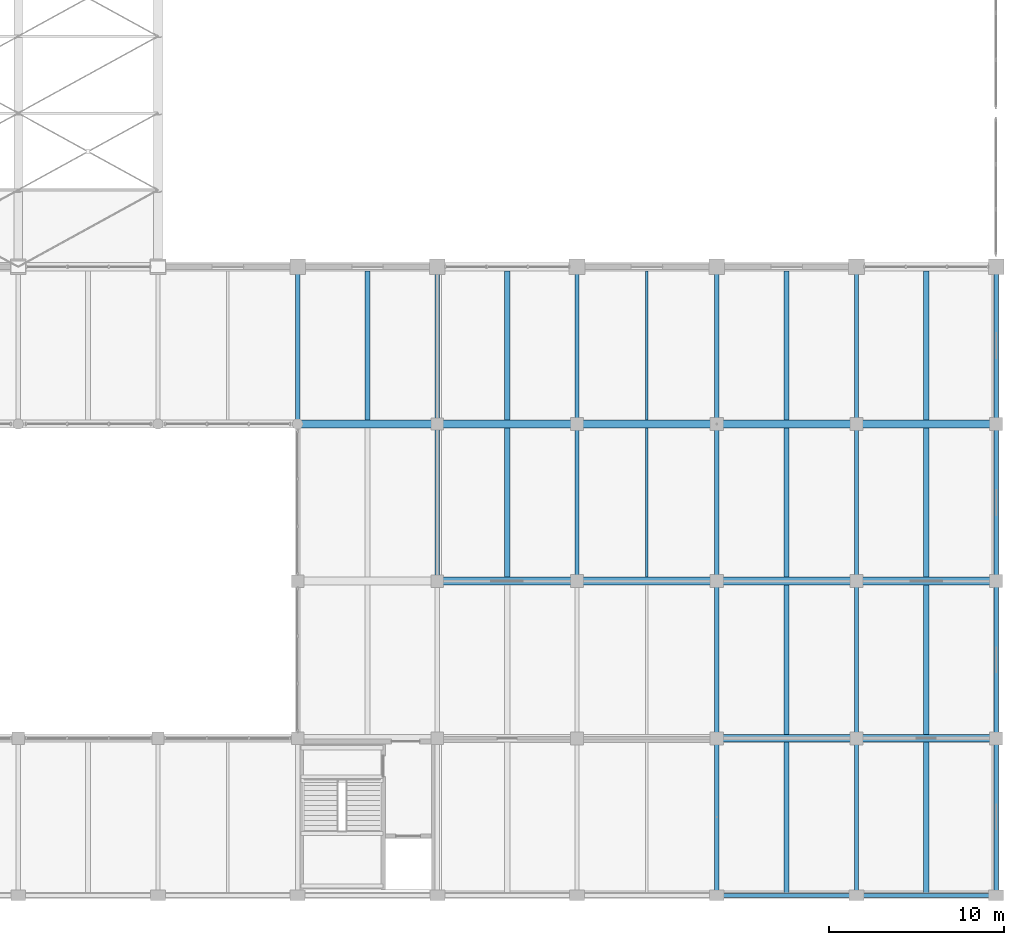
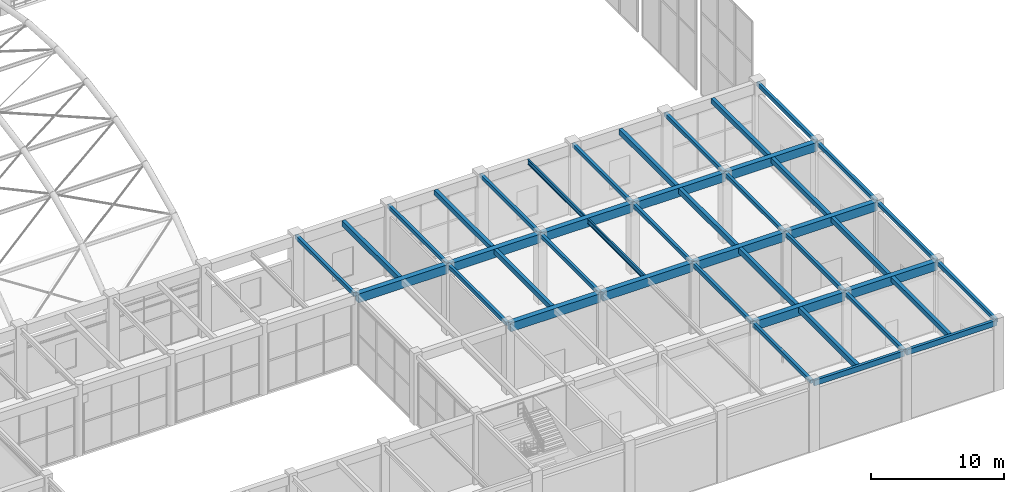
# One storey, part 98 of 163: 43 beams.
"""IFC4 building model written with IfcOpenShell, lengths in metres."""

from ifc_helpers import new_model, si_unit, direction, frame, origin, origin_2d, place, context, subcontext, project, spatial, rectangle, i_section, extrude, material, material_profile, profile_set, type_object, element, save


model = new_model("IFC4")

# Units and contexts
model_context = context("Model", 3, precision=1e-05, world=origin(), true_north=direction((0.0, 1.0)))
body_context = subcontext(model_context, "Body", "Model", "MODEL_VIEW")
ifc_project = project(units=[si_unit("LENGTHUNIT", "METRE"), si_unit("AREAUNIT", "SQUARE_METRE"), si_unit("VOLUMEUNIT", "CUBIC_METRE"), si_unit("PLANEANGLEUNIT", "RADIAN"), si_unit("MASSUNIT", "GRAM", prefix="KILO")], contexts=[model_context])

# Site, building, storey
site_placement = place(None, origin())
site = spatial("IfcSite", under=ifc_project, at=site_placement, CompositionType="ELEMENT")
building_placement = place(site_placement, origin())
building = spatial("IfcBuilding", under=site, at=building_placement, Name="Varnabhumi Central Station", CompositionType="ELEMENT")
storey_placement = place(building_placement, frame((0.0, 0.0, 9.60009765625)))
storey = spatial("IfcBuildingStorey", under=building, at=storey_placement, Name="L02", CompositionType="ELEMENT", Elevation=9.60009765625)

# Beams
ifc_material_1 = material(Name="Structural steel E350", Category="steel")
ifc_material_profile_1 = material_profile(ifc_material_1, i_section(OverallWidth=0.14990234375, OverallDepth=0.449951171875, WebThickness=0.009521484375, FlangeThickness=0.017333984375, FilletRadius=0.014892578125, at=origin_2d()), Name="Structural steel E350", Category="steel")
ifc_profile_set_1 = profile_set([ifc_material_profile_1], Name="Structural steel E350")
beam_type_1 = type_object("IfcBeamType", Name="BM-JST-ISMB450", PredefinedType="JOIST", material=ifc_profile_set_1)
beam_1_placement = place(storey_placement, frame((164.0, 18.22509765625, 6.125), z_axis=(0.0, 1.0, 0.0), x_axis=(-1.0, 0.0, 0.0)))
element("IfcBeam", 1, at=beam_1_placement, inside=storey, type_object=beam_type_1, Name="Secondary Joist L02-21/22:C-D", PredefinedType="JOIST", context=body_context, shape_type="SweptSolid", body=[
    extrude(i_section(OverallWidth=0.14990234375, OverallDepth=0.449951171875, WebThickness=0.009521484375, FlangeThickness=0.017333984375, FilletRadius=0.014892578125, at=origin_2d()), origin(), (0.0, 0.0, 1.0), 8.5498046875),
])
beam_2_placement = place(storey_placement, frame((164.0, 27.22509765625, 6.125), z_axis=(0.0, 1.0, 0.0), x_axis=(-1.0, 0.0, 0.0)))
element("IfcBeam", 2, at=beam_2_placement, inside=storey, type_object=beam_type_1, Name="Secondary Joist L02-21/22:D-E", PredefinedType="JOIST", context=body_context, shape_type="SweptSolid", body=[
    extrude(i_section(OverallWidth=0.14990234375, OverallDepth=0.449951171875, WebThickness=0.009521484375, FlangeThickness=0.017333984375, FilletRadius=0.014892578125, at=origin_2d()), origin(), (0.0, 0.0, 1.0), 8.52490234375),
])
ifc_material_2 = material(Name="Concrete M35", Category="concrete")
ifc_material_profile_2 = material_profile(ifc_material_2, rectangle(XDim=0.25, YDim=0.35009765625, at=origin_2d()), Name="Concrete M35", Category="concrete")
ifc_profile_set_2 = profile_set([ifc_material_profile_2], Name="Concrete M35")
beam_type_2 = type_object("IfcBeamType", Name="BM-RC-250x350", PredefinedType="LINTEL", material=ifc_profile_set_2)
for number, where, z_axis, x_axis, name in (
    (3, (168.0, 0.10009765625, 6.1748046875), (0.0, 1.0, 0.0), (-1.0, 0.0, 0.0), "Beam L02-22:A-B"),
    (4, (176.0, 0.10009765625, 6.1748046875), (0.0, 1.0, 0.0), (-1.0, 0.0, 0.0), "Beam L02-23:A-B"),
    (5, (184.0, 0.10009765625, 6.1748046875), (0.0, 1.0, 0.0), (-1.0, 0.0, 0.0), "Beam L02-24:A-B"),
    (6, (168.0, 9.10009765625, 6.1748046875), (0.0, 1.0, 0.0), (-1.0, 0.0, 0.0), "Beam L02-22:B-C"),
    (7, (176.0, 9.10009765625, 6.1748046875), (0.0, 1.0, 0.0), (-1.0, 0.0, 0.0), "Beam L02-23:B-C"),
    (8, (184.0, 9.10009765625, 6.1748046875), (0.0, 1.0, 0.0), (-1.0, 0.0, 0.0), "Beam L02-24:B-C"),
    (9, (152.0, 18.10009765625, 6.1748046875), (0.0, 1.0, 0.0), (-1.0, 0.0, 0.0), "Beam L02-20:C-D"),
    (10, (160.0, 18.10009765625, 6.1748046875), (0.0, 1.0, 0.0), (-1.0, 0.0, 0.0), "Beam L02-21:C-D"),
    (11, (168.0, 18.10009765625, 6.1748046875), (0.0, 1.0, 0.0), (-1.0, 0.0, 0.0), "Beam L02-22:C-D"),
    (12, (176.0, 18.10009765625, 6.1748046875), (0.0, 1.0, 0.0), (-1.0, 0.0, 0.0), "Beam L02-23:C-D"),
    (13, (184.0, 18.10009765625, 6.1748046875), (0.0, 1.0, 0.0), (-1.0, 0.0, 0.0), "Beam L02-24:C-D"),
    (14, (144.0, 27.10009765625, 6.1748046875), (0.0, 1.0, 0.0), (-1.0, 0.0, 0.0), "Beam L02-19:D-E"),
    (15, (152.0, 27.10009765625, 6.1748046875), (0.0, 1.0, 0.0), (-1.0, 0.0, 0.0), "Beam L02-20:D-E"),
    (16, (160.0, 27.10009765625, 6.1748046875), (0.0, 1.0, 0.0), (-1.0, 0.0, 0.0), "Beam L02-21:D-E"),
    (17, (168.0, 27.10009765625, 6.1748046875), (0.0, 1.0, 0.0), (-1.0, 0.0, 0.0), "Beam L02-22:D-E"),
    (18, (176.0, 27.10009765625, 6.1748046875), (0.0, 1.0, 0.0), (-1.0, 0.0, 0.0), "Beam L02-23:D-E"),
    (19, (184.0, 27.10009765625, 6.1748046875), (0.0, 1.0, 0.0), (-1.0, 0.0, 0.0), "Beam L02-24:D-E"),
):
    element("IfcBeam", number, at=place(storey_placement, frame(where, z_axis=z_axis, x_axis=x_axis)), inside=storey, type_object=beam_type_2, Name=name, PredefinedType="LINTEL", context=body_context, shape_type="SweptSolid", body=[
        extrude(rectangle(XDim=0.25, YDim=0.35009765625, at=origin_2d()), origin(), (0.0, 0.0, 1.0), 8.7998046875),
    ])
ifc_material_3 = material(Name="Concrete M40", Category="concrete")
ifc_material_profile_3 = material_profile(ifc_material_3, rectangle(XDim=0.25, YDim=0.5, at=origin_2d()), Name="Concrete M40", Category="concrete")
ifc_profile_set_3 = profile_set([ifc_material_profile_3], Name="Concrete M40")
beam_type_3 = type_object("IfcBeamType", Name="BM-RC-250x500", PredefinedType="SPANDREL", material=ifc_profile_set_3)
for number, where, z_axis, x_axis, name in (
    (20, (168.10009765625, 0.0, 6.099853515625), (1.0, 0.0, 0.0), (0.0, 1.0, 0.0), "Beam L02-A:22-23"),
    (21, (176.10009765625, 0.0, 6.099853515625), (1.0, 0.0, 0.0), (0.0, 1.0, 0.0), "Beam L02-A:23-24"),
):
    element("IfcBeam", number, at=place(storey_placement, frame(where, z_axis=z_axis, x_axis=x_axis)), inside=storey, type_object=beam_type_3, Name=name, PredefinedType="SPANDREL", context=body_context, shape_type="SweptSolid", body=[
        extrude(rectangle(XDim=0.25, YDim=0.5, at=origin_2d()), origin(), (0.0, 0.0, 1.0), 7.7998046875),
    ])
ifc_material_profile_4 = material_profile(ifc_material_3, rectangle(XDim=0.300048828125, YDim=0.449951171875, at=origin_2d()), Name="Concrete M40", Category="concrete")
ifc_profile_set_4 = profile_set([ifc_material_profile_4], Name="Concrete M40")
beam_type_4 = type_object("IfcBeamType", Name="BM-RC-300x450", PredefinedType="JOIST", material=ifc_profile_set_4)
beam_3_placement = place(storey_placement, frame((180.0, 0.125, 6.125), z_axis=(0.0, 1.0, 0.0), x_axis=(-1.0, 0.0, 0.0)))
element("IfcBeam", 22, at=beam_3_placement, inside=storey, type_object=beam_type_4, Name="Secondary Joist L02-23/24:A-B", PredefinedType="JOIST", context=body_context, shape_type="SweptSolid", body=[
    extrude(rectangle(XDim=0.300048828125, YDim=0.449951171875, at=origin_2d()), origin(), (0.0, 0.0, 1.0), 8.64990234375),
])
for number, where, z_axis, x_axis, name in (
    (23, (180.0, 9.22509765625, 6.125), (0.0, 1.0, 0.0), (-1.0, 0.0, 0.0), "Secondary Joist L02-23/24:B-C"),
    (24, (156.0, 18.22509765625, 6.125), (0.0, 1.0, 0.0), (-1.0, 0.0, 0.0), "Secondary Joist L02-20/21:C-D"),
    (25, (180.0, 18.22509765625, 6.125), (0.0, 1.0, 0.0), (-1.0, 0.0, 0.0), "Secondary Joist L02-23/24:C-D"),
):
    element("IfcBeam", number, at=place(storey_placement, frame(where, z_axis=z_axis, x_axis=x_axis)), inside=storey, type_object=beam_type_4, Name=name, PredefinedType="JOIST", context=body_context, shape_type="SweptSolid", body=[
        extrude(rectangle(XDim=0.300048828125, YDim=0.449951171875, at=origin_2d()), origin(), (0.0, 0.0, 1.0), 8.5498046875),
    ])
for number, where, z_axis, x_axis, name in (
    (26, (156.0, 27.22509765625, 6.125), (0.0, 1.0, 0.0), (-1.0, 0.0, 0.0), "Secondary Joist L02-20/21:D-E"),
    (27, (180.0, 27.22509765625, 6.125), (0.0, 1.0, 0.0), (-1.0, 0.0, 0.0), "Secondary Joist L02-23/24:D-E"),
):
    element("IfcBeam", number, at=place(storey_placement, frame(where, z_axis=z_axis, x_axis=x_axis)), inside=storey, type_object=beam_type_4, Name=name, PredefinedType="JOIST", context=body_context, shape_type="SweptSolid", body=[
        extrude(rectangle(XDim=0.300048828125, YDim=0.449951171875, at=origin_2d()), origin(), (0.0, 0.0, 1.0), 8.52490234375),
    ])
ifc_material_profile_5 = material_profile(ifc_material_3, rectangle(XDim=0.300048828125, YDim=0.5, at=origin_2d()), Name="Concrete M40", Category="concrete")
ifc_profile_set_5 = profile_set([ifc_material_profile_5], Name="Concrete M40")
beam_type_5 = type_object("IfcBeamType", Name="BM-RC-300x500", PredefinedType="JOIST", material=ifc_profile_set_5)
beam_4_placement = place(storey_placement, frame((172.0, 0.125, 6.099853515625), z_axis=(0.0, 1.0, 0.0), x_axis=(-1.0, 0.0, 0.0)))
element("IfcBeam", 28, at=beam_4_placement, inside=storey, type_object=beam_type_5, Name="Secondary Joist L02-22/23:A-B", PredefinedType="JOIST", context=body_context, shape_type="SweptSolid", body=[
    extrude(rectangle(XDim=0.300048828125, YDim=0.5, at=origin_2d()), origin(), (0.0, 0.0, 1.0), 8.64990234375),
])
for number, where, z_axis, x_axis, name in (
    (29, (172.0, 9.22509765625, 6.099853515625), (0.0, 1.0, 0.0), (-1.0, 0.0, 0.0), "Secondary Joist L02-22/23:B-C"),
    (30, (172.0, 18.22509765625, 6.099853515625), (0.0, 1.0, 0.0), (-1.0, 0.0, 0.0), "Secondary Joist L02-22/23:C-D"),
):
    element("IfcBeam", number, at=place(storey_placement, frame(where, z_axis=z_axis, x_axis=x_axis)), inside=storey, type_object=beam_type_5, Name=name, PredefinedType="JOIST", context=body_context, shape_type="SweptSolid", body=[
        extrude(rectangle(XDim=0.300048828125, YDim=0.5, at=origin_2d()), origin(), (0.0, 0.0, 1.0), 8.5498046875),
    ])
for number, where, z_axis, x_axis, name in (
    (31, (148.0, 27.22509765625, 6.099853515625), (0.0, 1.0, 0.0), (-1.0, 0.0, 0.0), "Secondary Joist L02-19/20:D-E"),
    (32, (172.0, 27.22509765625, 6.099853515625), (0.0, 1.0, 0.0), (-1.0, 0.0, 0.0), "Secondary Joist L02-22/23:D-E"),
):
    element("IfcBeam", number, at=place(storey_placement, frame(where, z_axis=z_axis, x_axis=x_axis)), inside=storey, type_object=beam_type_5, Name=name, PredefinedType="JOIST", context=body_context, shape_type="SweptSolid", body=[
        extrude(rectangle(XDim=0.300048828125, YDim=0.5, at=origin_2d()), origin(), (0.0, 0.0, 1.0), 8.52490234375),
    ])
ifc_material_profile_6 = material_profile(ifc_material_3, rectangle(XDim=0.449951171875, YDim=0.800048828125, at=origin_2d()), Name="Concrete M40", Category="concrete")
ifc_profile_set_6 = profile_set([ifc_material_profile_6], Name="Concrete M40")
beam_type_6 = type_object("IfcBeamType", Name="BM-RC-450x800", PredefinedType="BEAM", material=ifc_profile_set_6)
for number, where, z_axis, x_axis, name in (
    (33, (144.10009765625, 27.0, 5.949951171875), (1.0, 0.0, 0.0), (0.0, 1.0, 0.0), "Beam L02-D:19-20"),
    (34, (152.10009765625, 18.0, 5.949951171875), (1.0, 0.0, 0.0), (0.0, 1.0, 0.0), "Beam L02-C:20-21"),
    (35, (152.10009765625, 27.0, 5.949951171875), (1.0, 0.0, 0.0), (0.0, 1.0, 0.0), "Beam L02-D:20-21"),
    (36, (160.10009765625, 18.0, 5.949951171875), (1.0, 0.0, 0.0), (0.0, 1.0, 0.0), "Beam L02-C:21-22"),
    (37, (160.10009765625, 27.0, 5.949951171875), (1.0, 0.0, 0.0), (0.0, 1.0, 0.0), "Beam L02-D:21-22"),
    (38, (168.10009765625, 9.0, 5.949951171875), (1.0, 0.0, 0.0), (0.0, 1.0, 0.0), "Beam L02-B:22-23"),
    (39, (168.10009765625, 18.0, 5.949951171875), (1.0, 0.0, 0.0), (0.0, 1.0, 0.0), "Beam L02-C:22-23"),
    (40, (168.10009765625, 27.0, 5.949951171875), (1.0, 0.0, 0.0), (0.0, 1.0, 0.0), "Beam L02-D:22-23"),
    (41, (176.10009765625, 9.0, 5.949951171875), (1.0, 0.0, 0.0), (0.0, 1.0, 0.0), "Beam L02-B:23-24"),
    (42, (176.10009765625, 18.0, 5.949951171875), (1.0, 0.0, 0.0), (0.0, 1.0, 0.0), "Beam L02-C:23-24"),
    (43, (176.10009765625, 27.0, 5.949951171875), (1.0, 0.0, 0.0), (0.0, 1.0, 0.0), "Beam L02-D:23-24"),
):
    element("IfcBeam", number, at=place(storey_placement, frame(where, z_axis=z_axis, x_axis=x_axis)), inside=storey, type_object=beam_type_6, Name=name, PredefinedType="BEAM", context=body_context, shape_type="SweptSolid", body=[
        extrude(rectangle(XDim=0.449951171875, YDim=0.800048828125, at=origin_2d()), origin(), (0.0, 0.0, 1.0), 7.7998046875),
    ])

save(model, "model.ifc")
